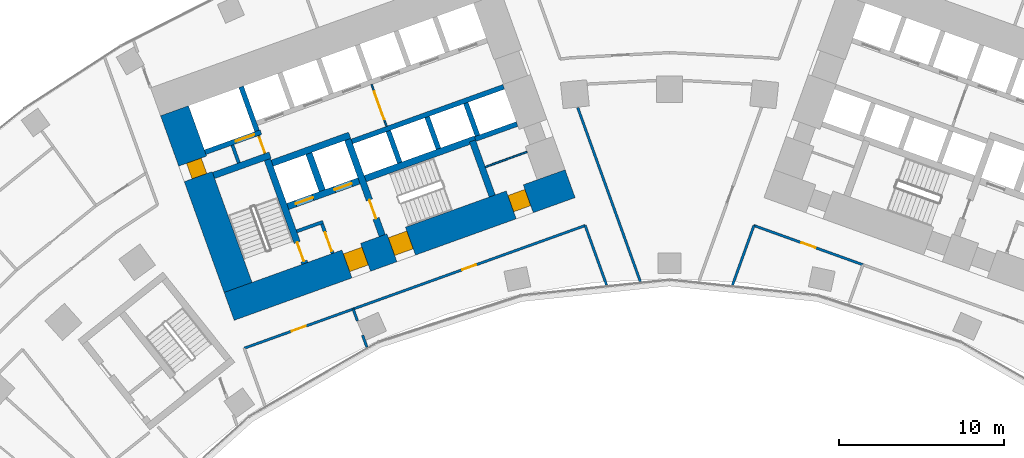
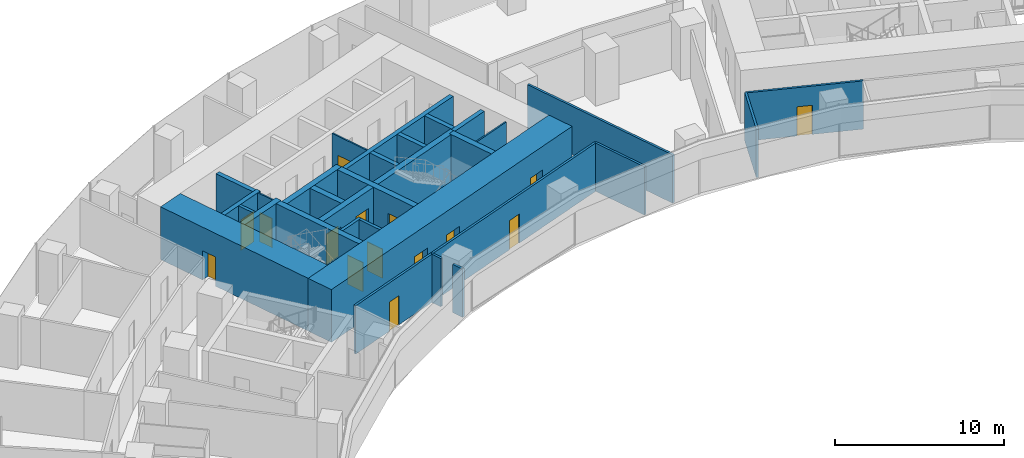
# One storey, part 15 of 21: 30 walls, 15 doors, 15 openings.
"""IFC4 building model written with IfcOpenShell, lengths in metres."""

from ifc_helpers import new_model, si_unit, direction, frame, frame_2d, origin, place, context, subcontext, project, spatial, rectangle, extrude, material, layer, layer_set, type_object, element, fill, save


model = new_model("IFC4")

# Units and contexts
model_context = context("Model", 3, precision=1e-05, world=origin(), true_north=direction((0.0, 1.0)))
body_context = subcontext(model_context, "Body", "Model", "MODEL_VIEW")
ifc_project = project(units=[si_unit("LENGTHUNIT", "METRE"), si_unit("AREAUNIT", "SQUARE_METRE"), si_unit("VOLUMEUNIT", "CUBIC_METRE"), si_unit("PLANEANGLEUNIT", "RADIAN"), si_unit("MASSUNIT", "GRAM", prefix="KILO")], contexts=[model_context])

# Site, building, storey
site_placement = place(None, origin())
site = spatial("IfcSite", under=ifc_project, at=site_placement, CompositionType="ELEMENT")
building_placement = place(site_placement, origin())
building = spatial("IfcBuilding", under=site, at=building_placement, Name="Stone Belt Terrace Tower", CompositionType="ELEMENT")
storey_placement = place(building_placement, frame((0.0, 0.0, 68.0)))
storey = spatial("IfcBuildingStorey", under=building, at=storey_placement, Name="L16", CompositionType="ELEMENT", Elevation=68.0)

# Wall, opening, door
ifc_material_1 = material(Name="Plasterboard partition")
ifc_layer_1 = layer(ifc_material_1, 0.10009765625)
ifc_layer_set_1 = layer_set([ifc_layer_1], Name="Core partition 100")
wall_type_1 = type_object("IfcWallType", Name="Core partition 100", PredefinedType="PARTITIONING", material=ifc_layer_set_1)
wall_1_placement = place(storey_placement, frame((-24.555908203125, 51.10400390625, 0.0), z_axis=(0.0, 0.0, 1.0), x_axis=(-0.338621735342, 0.94092258999, 0.0)))
wall_1 = element("IfcWall", 1, at=wall_1_placement, inside=storey, type_object=wall_type_1, Name="Core A wall", PredefinedType="PARTITIONING", context=body_context, shape_type="SweptSolid", body=[
    extrude(rectangle(XDim=1.14990234375, YDim=0.10009765625, at=frame_2d((0.574951171875, 0.0))), origin(), (0.0, 0.0, 1.0), 3.47998046875),
])
opening_1_placement = place(wall_1_placement, frame((0.050048828125, 0.0, 0.0)))
opening_1 = element("IfcOpeningElement", 2, at=opening_1_placement, cuts=wall_1, Name="Opening L16-C02", PredefinedType="OPENING", context=body_context, shape_type="SweptSolid", body=[
    extrude(rectangle(XDim=1.0, YDim=2.10009765625, at=frame_2d((0.5, 1.050048828125))), frame((0.0, 0.06005859375, 0.0), z_axis=(0.0, -1.0, 0.0), x_axis=(1.0, 0.0, 0.0)), (0.0, 0.0, 1.0), 0.1201171875),
])
ifc_material_2 = material(Name="Timber door leaf", Category="wood")
door_type_1 = type_object("IfcDoorType", Name="Core room door 1000", OperationType="SINGLE_SWING_LEFT", PredefinedType="DOOR", material=ifc_material_2)
door_1_placement = place(opening_1_placement, origin())
door_1 = element("IfcDoor", 3, at=door_1_placement, inside=storey, type_object=door_type_1, Name="Service lift lobby door core A", OperationType="SINGLE_SWING_RIGHT", OverallHeight=2.10009765625, OverallWidth=1.0, PredefinedType="DOOR", context=body_context, shape_type="SweptSolid", body=[
    extrude(rectangle(XDim=1.0, YDim=2.10009765625, at=frame_2d((0.5, 1.050048828125))), frame((0.0, 0.02490234375, 0.0), z_axis=(0.0, -1.0, 0.0), x_axis=(1.0, 0.0, 0.0)), (0.0, 0.0, 1.0), 0.050048828125),
])
fill(opening_1, door_1)

wall_2_placement = place(storey_placement, frame((-17.17724609375, 52.749755859375, 0.0), z_axis=(0.0, 0.0, 1.0), x_axis=(-0.338546555931, 0.940949642365, 0.0)))
wall_2 = element("IfcWall", 4, at=wall_2_placement, inside=storey, type_object=wall_type_1, Name="Core A wall", PredefinedType="PARTITIONING", context=body_context, shape_type="SweptSolid", body=[
    extrude(rectangle(XDim=2.699951171875, YDim=0.10009765625, at=frame_2d((1.35009765625, 0.0))), origin(), (0.0, 0.0, 1.0), 3.47998046875),
])
opening_2_placement = place(wall_2_placement, frame((0.449951171875, 0.0, 0.0)))
opening_2 = element("IfcOpeningElement", 5, at=opening_2_placement, cuts=wall_2, Name="Opening L16-C03", PredefinedType="OPENING", context=body_context, shape_type="SweptSolid", body=[
    extrude(rectangle(XDim=1.800048828125, YDim=2.10009765625, at=frame_2d((0.89990234375, 1.050048828125))), frame((0.0, 0.06005859375, 0.0), z_axis=(0.0, -1.0, 0.0), x_axis=(1.0, 0.0, 0.0)), (0.0, 0.0, 1.0), 0.1201171875),
])
ifc_material_3 = material(Name="Glazed aluminium door leaf", Category="aluminium")
door_type_2 = type_object("IfcDoorType", Name="Lift lobby entrance door 1800", OperationType="DOUBLE_DOOR_SINGLE_SWING", PredefinedType="DOOR", material=ifc_material_3)
door_2_placement = place(opening_2_placement, origin())
door_2 = element("IfcDoor", 6, at=door_2_placement, inside=storey, type_object=door_type_2, Name="Lift lobby double door core A", OperationType="DOUBLE_DOOR_SINGLE_SWING", OverallHeight=2.10009765625, OverallWidth=1.800048828125, PredefinedType="DOOR", context=body_context, shape_type="SweptSolid", body=[
    extrude(rectangle(XDim=1.800048828125, YDim=2.10009765625, at=frame_2d((0.89990234375, 1.050048828125))), frame((0.0, 0.02490234375, 0.0), z_axis=(0.0, -1.0, 0.0), x_axis=(1.0, 0.0, 0.0)), (0.0, 0.0, 1.0), 0.050048828125),
])
fill(opening_2, door_2)

# Wall
wall_3_placement = place(storey_placement, frame((-11.187744140625, 50.2822265625, 0.0), z_axis=(0.0, 0.0, 1.0), x_axis=(0.940949642365, 0.338546555931, 0.0)))
element("IfcWall", 7, at=wall_3_placement, inside=storey, type_object=wall_type_1, Name="Core A wall", PredefinedType="PARTITIONING", context=body_context, shape_type="SweptSolid", body=[
    extrude(rectangle(XDim=2.699951171875, YDim=0.10009765625, at=frame_2d((1.35009765625, 0.0))), origin(), (0.0, 0.0, 1.0), 3.47998046875),
])

# Wall, openings, doors
ifc_material_4 = material(Name="Concrete B80", Category="concrete")
ifc_layer_2 = layer(ifc_material_4, 1.800048828125)
ifc_layer_set_2 = layer_set([ifc_layer_2], Name="Core wall 1800 B80")
wall_type_2 = type_object("IfcWallType", Name="Core wall 1800 B80", PredefinedType="SHEAR", material=ifc_layer_set_2)
wall_4_placement = place(storey_placement, frame((-26.739501953125, 41.815673828125, 0.0), z_axis=(0.0, 0.0, 1.0), x_axis=(0.940921642213, 0.338624368902, 0.0)))
wall_4 = element("IfcWall", 8, at=wall_4_placement, inside=storey, type_object=wall_type_2, Name="Core A wall concave L16", PredefinedType="SHEAR", context=body_context, shape_type="SweptSolid", body=[
    extrude(rectangle(XDim=22.0, YDim=1.800048828125, at=frame_2d((11.0, 0.0))), origin(), (0.0, 0.0, 1.0), 3.800048828125),
])
opening_3_placement = place(wall_4_placement, frame((7.60009765625, 0.0, 0.0)))
opening_3 = element("IfcOpeningElement", 9, at=opening_3_placement, cuts=wall_4, Name="Opening L16-C07", PredefinedType="OPENING", context=body_context, shape_type="SweptSolid", body=[
    extrude(rectangle(XDim=1.199951171875, YDim=2.10009765625, at=frame_2d((0.60009765625, 1.050048828125))), frame((0.0, 0.909912109375, 0.0), z_axis=(0.0, -1.0, 0.0), x_axis=(1.0, 0.0, 0.0)), (0.0, 0.0, 1.0), 1.820068359375),
])
opening_4_placement = place(wall_4_placement, frame((10.5, 0.0, 0.0)))
opening_4 = element("IfcOpeningElement", 10, at=opening_4_placement, cuts=wall_4, Name="Opening L16-C09", PredefinedType="OPENING", context=body_context, shape_type="SweptSolid", body=[
    extrude(rectangle(XDim=1.199951171875, YDim=2.10009765625, at=frame_2d((0.60009765625, 1.050048828125))), frame((0.0, 0.909912109375, 0.0), z_axis=(0.0, -1.0, 0.0), x_axis=(1.0, 0.0, 0.0)), (0.0, 0.0, 1.0), 1.820068359375),
])
opening_5_placement = place(wall_4_placement, frame((18.199951171875, 0.0, 0.0)))
opening_5 = element("IfcOpeningElement", 11, at=opening_5_placement, cuts=wall_4, Name="Opening L16-C11", PredefinedType="OPENING", context=body_context, shape_type="SweptSolid", body=[
    extrude(rectangle(XDim=1.10009765625, YDim=2.10009765625, at=frame_2d((0.550048828125, 1.050048828125))), frame((0.0, 0.909912109375, 0.0), z_axis=(0.0, -1.0, 0.0), x_axis=(1.0, 0.0, 0.0)), (0.0, 0.0, 1.0), 1.820068359375),
])
door_type_3 = type_object("IfcDoorType", Name="Core room door 1100", OperationType="SINGLE_SWING_LEFT", PredefinedType="DOOR", material=ifc_material_2)
door_3_placement = place(opening_5_placement, origin())
door_3 = element("IfcDoor", 12, at=door_3_placement, inside=storey, type_object=door_type_3, Name="Door to Cleaner's store core A", OperationType="SINGLE_SWING_RIGHT", OverallHeight=2.10009765625, OverallWidth=1.10009765625, PredefinedType="DOOR", context=body_context, shape_type="SweptSolid", body=[
    extrude(rectangle(XDim=1.10009765625, YDim=2.10009765625, at=frame_2d((0.550048828125, 1.050048828125))), frame((0.0, 0.60498046875, 0.0), z_axis=(0.0, -1.0, 0.0), x_axis=(1.0, 0.0, 0.0)), (0.0, 0.0, 1.0), 1.050048828125),
])
fill(opening_5, door_3)
ifc_material_5 = material(Name="Steel door leaf", Category="steel")
door_type_4 = type_object("IfcDoorType", Name="Fire-fighting lobby door 1200", OperationType="SINGLE_SWING_LEFT", PredefinedType="DOOR", material=ifc_material_5)
door_4_placement = place(opening_3_placement, origin())
door_4 = element("IfcDoor", 13, at=door_4_placement, inside=storey, type_object=door_type_4, Name="Fire-fighting lobby door core A", OperationType="SINGLE_SWING_RIGHT", OverallHeight=2.10009765625, OverallWidth=1.199951171875, PredefinedType="DOOR", context=body_context, shape_type="SweptSolid", body=[
    extrude(rectangle(XDim=1.199951171875, YDim=2.10009765625, at=frame_2d((0.60009765625, 1.050048828125))), frame((0.0, 0.655029296875, 0.0), z_axis=(0.0, -1.0, 0.0), x_axis=(1.0, 0.0, 0.0)), (0.0, 0.0, 1.0), 1.14990234375),
])
fill(opening_3, door_4)
door_type_5 = type_object("IfcDoorType", Name="Stair door 1200", OperationType="SINGLE_SWING_LEFT", PredefinedType="DOOR", material=ifc_material_5)
door_5_placement = place(opening_4_placement, origin())
door_5 = element("IfcDoor", 14, at=door_5_placement, inside=storey, type_object=door_type_5, Name="Stair 2 exit door core A", OperationType="SINGLE_SWING_LEFT", OverallHeight=2.10009765625, OverallWidth=1.199951171875, PredefinedType="DOOR", context=body_context, shape_type="SweptSolid", body=[
    extrude(rectangle(XDim=1.199951171875, YDim=2.10009765625, at=frame_2d((0.60009765625, 1.050048828125))), frame((0.0, 0.655029296875, 0.0), z_axis=(0.0, -1.0, 0.0), x_axis=(1.0, 0.0, 0.0)), (0.0, 0.0, 1.0), 1.14990234375),
])
fill(opening_4, door_5)

# Wall, opening, door
wall_5_placement = place(storey_placement, frame((-26.197509765625, 42.96728515625, 0.0), z_axis=(0.0, 0.0, 1.0), x_axis=(-0.338625431531, 0.940921259788, 0.0)))
wall_5 = element("IfcWall", 15, at=wall_5_placement, inside=storey, type_object=wall_type_2, Name="Core A wall end_a L16", PredefinedType="SHEAR", context=body_context, shape_type="SweptSolid", body=[
    extrude(rectangle(XDim=11.400146484375, YDim=1.800048828125, at=frame_2d((5.7001953125, 0.0))), origin(), (0.0, 0.0, 1.0), 3.800048828125),
])
opening_6_placement = place(wall_5_placement, frame((7.150146484375, 0.0, 0.0)))
opening_6 = element("IfcOpeningElement", 16, at=opening_6_placement, cuts=wall_5, Name="Opening L16-C01", PredefinedType="OPENING", context=body_context, shape_type="SweptSolid", body=[
    extrude(rectangle(XDim=1.0, YDim=2.10009765625, at=frame_2d((0.5, 1.050048828125))), frame((0.0, 0.909912109375, 0.0), z_axis=(0.0, -1.0, 0.0), x_axis=(1.0, 0.0, 0.0)), (0.0, 0.0, 1.0), 1.820068359375),
])
door_6_placement = place(opening_6_placement, origin())
door_6 = element("IfcDoor", 17, at=door_6_placement, inside=storey, type_object=door_type_1, Name="Door to Telecommunications riser room core A", OperationType="SINGLE_SWING_LEFT", OverallHeight=2.10009765625, OverallWidth=1.0, PredefinedType="DOOR", context=body_context, shape_type="SweptSolid", body=[
    extrude(rectangle(XDim=1.0, YDim=2.10009765625, at=frame_2d((0.5, 1.050048828125))), frame((0.0, 0.39501953125, 0.0), z_axis=(0.0, -1.0, 0.0), x_axis=(1.0, 0.0, 0.0)), (0.0, 0.0, 1.0), 0.949951171875),
])
fill(opening_6, door_6)

# Walls
ifc_layer_3 = layer(ifc_material_4, 0.39990234375)
ifc_layer_set_3 = layer_set([ifc_layer_3], Name="Fire-fighting lift shaft wall 400")
wall_type_3 = type_object("IfcWallType", Name="Fire-fighting lift shaft wall 400", PredefinedType="SHEAR", material=ifc_layer_set_3)
wall_6_placement = place(storey_placement, frame((-24.130615234375, 50.512939453125, 0.0), z_axis=(0.0, 0.0, 1.0), x_axis=(0.94091168377, 0.338652038744, 0.0)))
element("IfcWall", 18, at=wall_6_placement, inside=storey, type_object=wall_type_3, Name="Core A wall", PredefinedType="SHEAR", context=body_context, shape_type="SweptSolid", body=[
    extrude(rectangle(XDim=5.000244140625, YDim=0.39990234375, at=frame_2d((2.5, 0.0))), origin(), (0.0, 0.0, 1.0), 3.47998046875),
])
wall_7_placement = place(storey_placement, frame((-21.0859375, 48.845458984375, 0.0), z_axis=(0.0, 0.0, 1.0), x_axis=(-0.338629416206, 0.940919825745, 0.0)))
element("IfcWall", 19, at=wall_7_placement, inside=storey, type_object=wall_type_3, Name="Core A wall", PredefinedType="SHEAR", context=body_context, shape_type="SweptSolid", body=[
    extrude(rectangle(XDim=2.400146484375, YDim=0.39990234375, at=frame_2d((1.2001953125, 0.0))), origin(), (0.0, 0.0, 1.0), 3.47998046875),
])

# Wall, opening, door
ifc_layer_4 = layer(ifc_material_4, 0.300048828125)
ifc_layer_set_4 = layer_set([ifc_layer_4], Name="Lift shaft wall 300")
wall_type_4 = type_object("IfcWallType", Name="Lift shaft wall 300", PredefinedType="SHEAR", material=ifc_layer_set_4)
wall_8_placement = place(storey_placement, frame((-28.195068359375, 51.17578125, 0.0), z_axis=(0.0, 0.0, 1.0), x_axis=(0.940901243567, 0.338681044427, 0.0)))
wall_8 = element("IfcWall", 20, at=wall_8_placement, inside=storey, type_object=wall_type_4, Name="Core A wall", PredefinedType="SHEAR", context=body_context, shape_type="SweptSolid", body=[
    extrude(rectangle(XDim=3.599853515625, YDim=0.300048828125, at=frame_2d((1.7998046875, 0.0))), origin(), (0.0, 0.0, 1.0), 3.47998046875),
])
opening_7_placement = place(wall_8_placement, frame((1.969970703125, 0.0, 0.0)))
opening_7 = element("IfcOpeningElement", 21, at=opening_7_placement, cuts=wall_8, Name="Opening L16-LD09", PredefinedType="OPENING", context=body_context, shape_type="SweptSolid", body=[
    extrude(rectangle(XDim=1.199951171875, YDim=2.199951171875, at=frame_2d((0.60009765625, 1.10009765625))), frame((0.0, 0.159912109375, 0.0), z_axis=(0.0, -1.0, 0.0), x_axis=(1.0, 0.0, 0.0)), (0.0, 0.0, 1.0), 0.320068359375),
])
ifc_material_6 = material(Name="Stainless steel door leaf", Category="steel")
door_type_6 = type_object("IfcDoorType", Name="Landing door 1200", OperationType="SLIDING_TO_LEFT", PredefinedType="DOOR", material=ifc_material_6)
door_7_placement = place(opening_7_placement, origin())
door_7 = element("IfcDoor", 22, at=door_7_placement, inside=storey, type_object=door_type_6, Name="Landing door SV1 core A", OperationType="SLIDING_TO_LEFT", OverallHeight=2.199951171875, OverallWidth=1.199951171875, PredefinedType="DOOR", context=body_context, shape_type="SweptSolid", body=[
    extrude(rectangle(XDim=1.199951171875, YDim=2.199951171875, at=frame_2d((0.60009765625, 1.10009765625))), frame((0.0, 0.02490234375, 0.0), z_axis=(0.0, -1.0, 0.0), x_axis=(1.0, 0.0, 0.0)), (0.0, 0.0, 1.0), 0.050048828125),
])
fill(opening_7, door_7)

# Walls
wall_9_placement = place(storey_placement, frame((-25.046875, 52.46826171875, 0.0), z_axis=(0.0, 0.0, 1.0), x_axis=(-0.338549588058, 0.940948551423, 0.0)))
element("IfcWall", 23, at=wall_9_placement, inside=storey, type_object=wall_type_4, Name="Core A wall", PredefinedType="SHEAR", context=body_context, shape_type="SweptSolid", body=[
    extrude(rectangle(XDim=2.849853515625, YDim=0.300048828125, at=frame_2d((1.4248046875, 0.0))), origin(), (0.0, 0.0, 1.0), 3.47998046875),
])
wall_10_placement = place(storey_placement, frame((-19.29052734375, 51.829833984375, 0.0), z_axis=(0.0, 0.0, 1.0), x_axis=(0.940925833398, 0.338612722803, 0.0)))
element("IfcWall", 24, at=wall_10_placement, inside=storey, type_object=wall_type_4, Name="Core A wall", PredefinedType="SHEAR", context=body_context, shape_type="SweptSolid", body=[
    extrude(rectangle(XDim=9.7998046875, YDim=0.300048828125, at=frame_2d((4.89990234375, 0.0))), origin(), (0.0, 0.0, 1.0), 3.47998046875),
])
for number, where, z_axis, x_axis, name in (
    (25, (-16.38134765625, 50.53857421875, 0.0), (0.0, 0.0, 1.0), (-0.338681515556, 0.940901073982, 0.0), "Core A wall"),
    (26, (-14.029052734375, 51.38525390625, 0.0), (0.0, 0.0, 1.0), (-0.338681515556, 0.940901073982, 0.0), "Core A wall"),
):
    element("IfcWall", number, at=place(storey_placement, frame(where, z_axis=z_axis, x_axis=x_axis)), inside=storey, type_object=wall_type_4, Name=name, PredefinedType="SHEAR", context=body_context, shape_type="SweptSolid", body=[
        extrude(rectangle(XDim=2.050048828125, YDim=0.300048828125, at=frame_2d((1.02490234375, 0.0))), origin(), (0.0, 0.0, 1.0), 3.47998046875),
    ])
wall_11_placement = place(storey_placement, frame((-11.797119140625, 51.975830078125, 0.0), z_axis=(0.0, 0.0, 1.0), x_axis=(0.940910465161, 0.33865542451, 0.0)))
element("IfcWall", 27, at=wall_11_placement, inside=storey, type_object=wall_type_4, Name="Core A wall", PredefinedType="SHEAR", context=body_context, shape_type="SweptSolid", body=[
    extrude(rectangle(XDim=2.69970703125, YDim=0.300048828125, at=frame_2d((1.349853515625, 0.0))), origin(), (0.0, 0.0, 1.0), 3.47998046875),
])
wall_12_placement = place(storey_placement, frame((-11.659912109375, 52.184814453125, 0.0), z_axis=(0.0, 0.0, 1.0), x_axis=(-0.338670064856, 0.940905195634, 0.0)))
element("IfcWall", 28, at=wall_12_placement, inside=storey, type_object=wall_type_4, Name="Core A wall", PredefinedType="SHEAR", context=body_context, shape_type="SweptSolid", body=[
    extrude(rectangle(XDim=2.099853515625, YDim=0.300048828125, at=frame_2d((1.0498046875, 0.0))), origin(), (0.0, 0.0, 1.0), 3.47998046875),
])
ifc_material_7 = material(Name="Gypsum board partition")
ifc_layer_5 = layer(ifc_material_7, 0.14990234375)
ifc_layer_set_5 = layer_set([ifc_layer_5], Name="PARTITION 150 EI 60")
wall_type_5 = type_object("IfcWallType", Name="PARTITION 150 EI 60", PredefinedType="PARTITIONING", material=ifc_layer_set_5)
wall_13_placement = place(storey_placement, frame((-3.819580078125, 43.0986328125, 0.0), z_axis=(0.0, 0.0, 1.0), x_axis=(-0.338659002829, 0.940909177234, 0.0)))
element("IfcWall", 29, at=wall_13_placement, inside=storey, type_object=wall_type_5, Name="L16/wall/i008", PredefinedType="PARTITIONING", context=body_context, shape_type="SweptSolid", body=[
    extrude(rectangle(XDim=3.8603515625, YDim=0.14990234375, at=frame_2d((1.93017578125, 0.0))), origin(), (0.0, 0.0, 1.0), 3.47998046875),
])
wall_14_placement = place(storey_placement, frame((-5.574951171875, 53.88232421875, 0.0), z_axis=(0.0, 0.0, 1.0), x_axis=(0.338622486498, -0.940922319662, 0.0)))
element("IfcWall", 30, at=wall_14_placement, inside=storey, type_object=wall_type_5, Name="L16/wall/i010", PredefinedType="PARTITIONING", context=body_context, shape_type="SweptSolid", body=[
    extrude(rectangle(XDim=11.232177734375, YDim=0.14990234375, at=frame_2d((5.6162109375, 0.0))), origin(), (0.0, 0.0, 1.0), 3.47998046875),
])

# Wall, opening, door
wall_15_placement = place(storey_placement, frame((-19.2041015625, 41.657958984375, 0.0), z_axis=(0.0, 0.0, 1.0), x_axis=(-0.940907755702, -0.338662952299, 0.0)))
wall_15 = element("IfcWall", 31, at=wall_15_placement, inside=storey, type_object=wall_type_5, Name="L16/wall/i012", PredefinedType="PARTITIONING", context=body_context, shape_type="SweptSolid", body=[
    extrude(rectangle(XDim=7.03662109375, YDim=0.14990234375, at=frame_2d((3.518310546875, 0.0))), origin(), (0.0, 0.0, 1.0), 3.47998046875),
])
opening_8_placement = place(wall_15_placement, frame((3.068359375, 0.0, 0.0)))
opening_8 = element("IfcOpeningElement", 32, at=opening_8_placement, cuts=wall_15, Name="Opening D-A5-01", PredefinedType="OPENING", context=body_context, shape_type="SweptSolid", body=[
    extrude(rectangle(XDim=0.89990234375, YDim=2.10009765625, at=frame_2d((0.449951171875, 1.050048828125))), frame((0.0, 0.0849609375, 0.0), z_axis=(0.0, -1.0, 0.0), x_axis=(1.0, 0.0, 0.0)), (0.0, 0.0, 1.0), 0.169921875),
])
door_type_7 = type_object("IfcDoorType", Name="OFFICE DOOR 900 X 2100", OperationType="NOTDEFINED", PredefinedType="DOOR", material=ifc_material_2)
door_8_placement = place(opening_8_placement, origin())
door_8 = element("IfcDoor", 33, at=door_8_placement, inside=storey, type_object=door_type_7, Name="L16/door/i01", OperationType="SINGLE_SWING_RIGHT", OverallHeight=2.10009765625, OverallWidth=0.89990234375, PredefinedType="DOOR", context=body_context, shape_type="SweptSolid", body=[
    extrude(rectangle(XDim=0.89990234375, YDim=2.10009765625, at=frame_2d((0.449951171875, 1.050048828125))), frame((0.0, 0.02490234375, 0.0), z_axis=(0.0, -1.0, 0.0), x_axis=(1.0, 0.0, 0.0)), (0.0, 0.0, 1.0), 0.050048828125),
])
fill(opening_8, door_8)

wall_16_placement = place(storey_placement, frame((-5.125, 46.72509765625, 0.0), z_axis=(0.0, 0.0, 1.0), x_axis=(-0.940924398341, -0.338616710466, 0.0)))
wall_16 = element("IfcWall", 34, at=wall_16_placement, inside=storey, type_object=wall_type_5, Name="L16/wall/i013", PredefinedType="PARTITIONING", context=body_context, shape_type="SweptSolid", body=[
    extrude(rectangle(XDim=14.975830078125, YDim=0.14990234375, at=frame_2d((7.48779296875, 0.0))), origin(), (0.0, 0.0, 1.0), 3.47998046875),
])
opening_9_placement = place(wall_16_placement, frame((7.037841796875, 0.0, 0.0)))
opening_9 = element("IfcOpeningElement", 35, at=opening_9_placement, cuts=wall_16, Name="Opening D-A5-02", PredefinedType="OPENING", context=body_context, shape_type="SweptSolid", body=[
    extrude(rectangle(XDim=0.89990234375, YDim=2.10009765625, at=frame_2d((0.449951171875, 1.050048828125))), frame((0.0, 0.0849609375, 0.0), z_axis=(0.0, -1.0, 0.0), x_axis=(1.0, 0.0, 0.0)), (0.0, 0.0, 1.0), 0.169921875),
])
door_9_placement = place(opening_9_placement, origin())
door_9 = element("IfcDoor", 36, at=door_9_placement, inside=storey, type_object=door_type_7, Name="L16/door/i02", OperationType="SINGLE_SWING_RIGHT", OverallHeight=2.10009765625, OverallWidth=0.89990234375, PredefinedType="DOOR", context=body_context, shape_type="SweptSolid", body=[
    extrude(rectangle(XDim=0.89990234375, YDim=2.10009765625, at=frame_2d((0.449951171875, 1.050048828125))), frame((0.0, 0.02490234375, 0.0), z_axis=(0.0, -1.0, 0.0), x_axis=(1.0, 0.0, 0.0)), (0.0, 0.0, 1.0), 0.050048828125),
])
fill(opening_9, door_9)

# Walls
wall_17_placement = place(storey_placement, frame((-19.2099609375, 41.656005859375, 0.0), z_axis=(0.0, 0.0, 1.0), x_axis=(0.338584750812, -0.940935899261, 0.0)))
element("IfcWall", 37, at=wall_17_placement, inside=storey, type_object=wall_type_5, Name="L16/wall/i014", PredefinedType="PARTITIONING", context=body_context, shape_type="SweptSolid", body=[
    extrude(rectangle(XDim=0.77001953125, YDim=0.14990234375, at=frame_2d((0.385009765625, 0.0))), origin(), (0.0, 0.0, 1.0), 3.47998046875),
])
wall_18_placement = place(storey_placement, frame((-18.637939453125, 40.06640625, 0.0), z_axis=(0.0, 0.0, 1.0), x_axis=(0.338933376884, -0.940810377299, 0.0)))
element("IfcWall", 38, at=wall_18_placement, inside=storey, type_object=wall_type_5, Name="L16/wall/i015", PredefinedType="PARTITIONING", context=body_context, shape_type="SweptSolid", body=[
    extrude(rectangle(XDim=0.767822265625, YDim=0.14990234375, at=frame_2d((0.3837890625, 0.0))), origin(), (0.0, 0.0, 1.0), 3.47998046875),
])
wall_19_placement = place(storey_placement, frame((5.126953125, 46.73095703125, 0.0), z_axis=(0.0, 0.0, 1.0), x_axis=(-0.338659002829, -0.940909177234, 0.0)))
element("IfcWall", 39, at=wall_19_placement, inside=storey, type_object=wall_type_5, Name="L16/wall/i017", PredefinedType="PARTITIONING", context=body_context, shape_type="SweptSolid", body=[
    extrude(rectangle(XDim=3.8603515625, YDim=0.14990234375, at=frame_2d((1.93017578125, 0.0))), origin(), (0.0, 0.0, 1.0), 3.47998046875),
])

# Wall, opening, door
wall_20_placement = place(storey_placement, frame((11.74609375, 44.342041015625, 0.0), z_axis=(0.0, 0.0, 1.0), x_axis=(-0.940911734826, 0.338651896889, 0.0)))
wall_20 = element("IfcWall", 40, at=wall_20_placement, inside=storey, type_object=wall_type_5, Name="L16/wall/i027", PredefinedType="PARTITIONING", context=body_context, shape_type="SweptSolid", body=[
    extrude(rectangle(XDim=7.036865234375, YDim=0.14990234375, at=frame_2d((3.5185546875, 0.0))), origin(), (0.0, 0.0, 1.0), 3.47998046875),
])
opening_10_placement = place(wall_20_placement, frame((3.068359375, 0.0, 0.0)))
opening_10 = element("IfcOpeningElement", 41, at=opening_10_placement, cuts=wall_20, Name="Opening D-A5-05", PredefinedType="OPENING", context=body_context, shape_type="SweptSolid", body=[
    extrude(rectangle(XDim=0.89990234375, YDim=2.10009765625, at=frame_2d((0.449951171875, 1.050048828125))), frame((0.0, 0.0849609375, 0.0), z_axis=(0.0, -1.0, 0.0), x_axis=(1.0, 0.0, 0.0)), (0.0, 0.0, 1.0), 0.169921875),
])
door_10_placement = place(opening_10_placement, origin())
door_10 = element("IfcDoor", 42, at=door_10_placement, inside=storey, type_object=door_type_7, Name="L16/door/i05", OperationType="SINGLE_SWING_RIGHT", OverallHeight=2.10009765625, OverallWidth=0.89990234375, PredefinedType="DOOR", context=body_context, shape_type="SweptSolid", body=[
    extrude(rectangle(XDim=0.89990234375, YDim=2.10009765625, at=frame_2d((0.449951171875, 1.050048828125))), frame((0.0, 0.02490234375, 0.0), z_axis=(0.0, -1.0, 0.0), x_axis=(1.0, 0.0, 0.0)), (0.0, 0.0, 1.0), 0.050048828125),
])
fill(opening_10, door_10)

# Walls
ifc_material_8 = material(Name="Concrete masonry block", Category="masonry")
ifc_layer_6 = layer(ifc_material_8, 0.199951171875)
ifc_layer_set_6 = layer_set([ifc_layer_6], Name="Rated lobby wall 200")
wall_type_6 = type_object("IfcWallType", Name="Rated lobby wall 200", PredefinedType="PARTITIONING", material=ifc_layer_set_6)
wall_21_placement = place(storey_placement, frame((-26.1552734375, 50.5283203125, 0.0), z_axis=(0.0, 0.0, 1.0), x_axis=(-0.338621735342, 0.94092258999, 0.0)))
element("IfcWall", 43, at=wall_21_placement, inside=storey, type_object=wall_type_6, Name="Core A wall", PredefinedType="PARTITIONING", context=body_context, shape_type="SweptSolid", body=[
    extrude(rectangle(XDim=1.14990234375, YDim=0.199951171875, at=frame_2d((0.574951171875, 0.0))), origin(), (0.0, 0.0, 1.0), 3.47998046875),
])
wall_22_placement = place(storey_placement, frame((-22.640625, 46.373046875, 0.0), z_axis=(0.0, 0.0, 1.0), x_axis=(0.940966110313, 0.338500781747, 0.0)))
element("IfcWall", 44, at=wall_22_placement, inside=storey, type_object=wall_type_6, Name="Core A wall", PredefinedType="PARTITIONING", context=body_context, shape_type="SweptSolid", body=[
    extrude(rectangle(XDim=1.699951171875, YDim=0.199951171875, at=frame_2d((0.85009765625, 0.0))), origin(), (0.0, 0.0, 1.0), 3.47998046875),
])

# Wall, opening, door
wall_23_placement = place(storey_placement, frame((-20.4580078125, 45.032958984375, 0.0), z_axis=(0.0, 0.0, 1.0), x_axis=(-0.338573865316, 0.940939816208, 0.0)))
wall_23 = element("IfcWall", 45, at=wall_23_placement, inside=storey, type_object=wall_type_6, Name="Core A wall", PredefinedType="PARTITIONING", context=body_context, shape_type="SweptSolid", body=[
    extrude(rectangle(XDim=1.900146484375, YDim=0.199951171875, at=frame_2d((0.9501953125, 0.0))), origin(), (0.0, 0.0, 1.0), 3.47998046875),
])
opening_11_placement = place(wall_23_placement, frame((0.14990234375, 0.0, 0.0)))
opening_11 = element("IfcOpeningElement", 46, at=opening_11_placement, cuts=wall_23, Name="Opening L16-C06", PredefinedType="OPENING", context=body_context, shape_type="SweptSolid", body=[
    extrude(rectangle(XDim=1.199951171875, YDim=2.10009765625, at=frame_2d((0.60009765625, 1.050048828125))), frame((0.0, 0.10986328125, 0.0), z_axis=(0.0, -1.0, 0.0), x_axis=(1.0, 0.0, 0.0)), (0.0, 0.0, 1.0), 0.219970703125),
])
door_11_placement = place(opening_11_placement, origin())
door_11 = element("IfcDoor", 47, at=door_11_placement, inside=storey, type_object=door_type_5, Name="Stair airlock door core A", OperationType="SINGLE_SWING_RIGHT", OverallHeight=2.10009765625, OverallWidth=1.199951171875, PredefinedType="DOOR", context=body_context, shape_type="SweptSolid", body=[
    extrude(rectangle(XDim=1.199951171875, YDim=2.10009765625, at=frame_2d((0.60009765625, 1.050048828125))), frame((0.0, 0.02490234375, 0.0), z_axis=(0.0, -1.0, 0.0), x_axis=(1.0, 0.0, 0.0)), (0.0, 0.0, 1.0), 0.050048828125),
])
fill(opening_11, door_11)

# Wall
ifc_layer_7 = layer(ifc_material_4, 0.39990234375)
ifc_layer_set_7 = layer_set([ifc_layer_7], Name="Stair enclosure wall 400")
wall_type_7 = type_object("IfcWallType", Name="Stair enclosure wall 400", PredefinedType="SHEAR", material=ifc_layer_set_7)
wall_24_placement = place(storey_placement, frame((-27.687255859375, 49.764404296875, 0.0), z_axis=(0.0, 0.0, 1.0), x_axis=(0.940918954884, 0.338631835981, 0.0)))
element("IfcWall", 48, at=wall_24_placement, inside=storey, type_object=wall_type_7, Name="Core A wall", PredefinedType="SHEAR", context=body_context, shape_type="SweptSolid", body=[
    extrude(rectangle(XDim=3.650146484375, YDim=0.39990234375, at=frame_2d((1.8251953125, 0.0))), origin(), (0.0, 0.0, 1.0), 3.47998046875),
])

# Wall, opening, door
wall_25_placement = place(storey_placement, frame((-22.151611328125, 44.42333984375, 0.0), z_axis=(0.0, 0.0, 1.0), x_axis=(-0.338625272931, 0.940921316866, 0.0)))
wall_25 = element("IfcWall", 49, at=wall_25_placement, inside=storey, type_object=wall_type_7, Name="Core A wall", PredefinedType="SHEAR", context=body_context, shape_type="SweptSolid", body=[
    extrude(rectangle(XDim=6.699951171875, YDim=0.39990234375, at=frame_2d((3.35009765625, 0.0))), origin(), (0.0, 0.0, 1.0), 3.47998046875),
])
opening_12_placement = place(wall_25_placement, frame((0.14990234375, 0.0, 0.0)))
opening_12 = element("IfcOpeningElement", 50, at=opening_12_placement, cuts=wall_25, Name="Opening L16-C05", PredefinedType="OPENING", context=body_context, shape_type="SweptSolid", body=[
    extrude(rectangle(XDim=1.199951171875, YDim=2.10009765625, at=frame_2d((0.60009765625, 1.050048828125))), frame((0.0, 0.2099609375, 0.0), z_axis=(0.0, -1.0, 0.0), x_axis=(1.0, 0.0, 0.0)), (0.0, 0.0, 1.0), 0.419921875),
])
door_12_placement = place(opening_12_placement, origin())
door_12 = element("IfcDoor", 51, at=door_12_placement, inside=storey, type_object=door_type_5, Name="Stair 1 door core A", OperationType="SINGLE_SWING_RIGHT", OverallHeight=2.10009765625, OverallWidth=1.199951171875, PredefinedType="DOOR", context=body_context, shape_type="SweptSolid", body=[
    extrude(rectangle(XDim=1.199951171875, YDim=2.10009765625, at=frame_2d((0.60009765625, 1.050048828125))), frame((0.0, 0.02490234375, 0.0), z_axis=(0.0, -1.0, 0.0), x_axis=(1.0, 0.0, 0.0)), (0.0, 0.0, 1.0), 0.050048828125),
])
fill(opening_12, door_12)

# Wall, openings, doors
wall_26_placement = place(storey_placement, frame((-23.182373046875, 47.87841796875, 0.0), z_axis=(0.0, 0.0, 1.0), x_axis=(0.940921101762, 0.338625870628, 0.0)))
wall_26 = element("IfcWall", 52, at=wall_26_placement, inside=storey, type_object=wall_type_7, Name="Core A wall", PredefinedType="SHEAR", context=body_context, shape_type="SweptSolid", body=[
    extrude(rectangle(XDim=12.10009765625, YDim=0.39990234375, at=frame_2d((6.050048828125, 0.0))), origin(), (0.0, 0.0, 1.0), 3.47998046875),
])
opening_13_placement = place(wall_26_placement, frame((0.52001953125, 0.0, 0.0)))
opening_13 = element("IfcOpeningElement", 53, at=opening_13_placement, cuts=wall_26, Name="Opening L16-LD07", PredefinedType="OPENING", context=body_context, shape_type="SweptSolid", body=[
    extrude(rectangle(XDim=1.10009765625, YDim=2.199951171875, at=frame_2d((0.550048828125, 1.10009765625))), frame((0.0, 0.2099609375, 0.0), z_axis=(0.0, -1.0, 0.0), x_axis=(1.0, 0.0, 0.0)), (0.0, 0.0, 1.0), 0.419921875),
])
opening_14_placement = place(wall_26_placement, frame((3.02001953125, 0.0, 0.0)))
opening_14 = element("IfcOpeningElement", 54, at=opening_14_placement, cuts=wall_26, Name="Opening L16-LD08", PredefinedType="OPENING", context=body_context, shape_type="SweptSolid", body=[
    extrude(rectangle(XDim=1.10009765625, YDim=2.199951171875, at=frame_2d((0.550048828125, 1.10009765625))), frame((0.0, 0.2099609375, 0.0), z_axis=(0.0, -1.0, 0.0), x_axis=(1.0, 0.0, 0.0)), (0.0, 0.0, 1.0), 0.419921875),
])
door_type_8 = type_object("IfcDoorType", Name="Landing door 1100", OperationType="SLIDING_TO_LEFT", PredefinedType="DOOR", material=ifc_material_6)
door_13_placement = place(opening_13_placement, origin())
door_13 = element("IfcDoor", 55, at=door_13_placement, inside=storey, type_object=door_type_8, Name="Landing door FF1 core A", OperationType="SLIDING_TO_LEFT", OverallHeight=2.199951171875, OverallWidth=1.10009765625, PredefinedType="DOOR", context=body_context, shape_type="SweptSolid", body=[
    extrude(rectangle(XDim=1.10009765625, YDim=2.199951171875, at=frame_2d((0.550048828125, 1.10009765625))), frame((0.0, 0.02490234375, 0.0), z_axis=(0.0, -1.0, 0.0), x_axis=(1.0, 0.0, 0.0)), (0.0, 0.0, 1.0), 0.050048828125),
])
fill(opening_13, door_13)
door_14_placement = place(opening_14_placement, origin())
door_14 = element("IfcDoor", 56, at=door_14_placement, inside=storey, type_object=door_type_8, Name="Landing door FF2 core A", OperationType="SLIDING_TO_LEFT", OverallHeight=2.199951171875, OverallWidth=1.10009765625, PredefinedType="DOOR", context=body_context, shape_type="SweptSolid", body=[
    extrude(rectangle(XDim=1.10009765625, YDim=2.199951171875, at=frame_2d((0.550048828125, 1.10009765625))), frame((0.0, 0.02490234375, 0.0), z_axis=(0.0, -1.0, 0.0), x_axis=(1.0, 0.0, 0.0)), (0.0, 0.0, 1.0), 0.050048828125),
])
fill(opening_14, door_14)

# Wall, opening, door
wall_27_placement = place(storey_placement, frame((-17.447021484375, 46.116455078125, 0.0), z_axis=(0.0, 0.0, 1.0), x_axis=(-0.33860791464, 0.940927563707, 0.0)))
wall_27 = element("IfcWall", 57, at=wall_27_placement, inside=storey, type_object=wall_type_7, Name="Core A wall", PredefinedType="SHEAR", context=body_context, shape_type="SweptSolid", body=[
    extrude(rectangle(XDim=6.199951171875, YDim=0.39990234375, at=frame_2d((3.10009765625, 0.0))), origin(), (0.0, 0.0, 1.0), 3.47998046875),
])
opening_15_placement = place(wall_27_placement, frame((1.10009765625, 0.0, 0.0)))
opening_15 = element("IfcOpeningElement", 58, at=opening_15_placement, cuts=wall_27, Name="Opening L16-C08", PredefinedType="OPENING", context=body_context, shape_type="SweptSolid", body=[
    extrude(rectangle(XDim=1.199951171875, YDim=2.10009765625, at=frame_2d((0.60009765625, 1.050048828125))), frame((0.0, 0.2099609375, 0.0), z_axis=(0.0, -1.0, 0.0), x_axis=(1.0, 0.0, 0.0)), (0.0, 0.0, 1.0), 0.419921875),
])
door_15_placement = place(opening_15_placement, origin())
door_15 = element("IfcDoor", 59, at=door_15_placement, inside=storey, type_object=door_type_5, Name="Stair 2 door core A", OperationType="SINGLE_SWING_RIGHT", OverallHeight=2.10009765625, OverallWidth=1.199951171875, PredefinedType="DOOR", context=body_context, shape_type="SweptSolid", body=[
    extrude(rectangle(XDim=1.199951171875, YDim=2.10009765625, at=frame_2d((0.60009765625, 1.050048828125))), frame((0.0, 0.02490234375, 0.0), z_axis=(0.0, -1.0, 0.0), x_axis=(1.0, 0.0, 0.0)), (0.0, 0.0, 1.0), 0.050048828125),
])
fill(opening_15, door_15)

# Wall
wall_28_placement = place(storey_placement, frame((-10.766357421875, 48.520751953125, 0.0), z_axis=(0.0, 0.0, 1.0), x_axis=(-0.338626928157, 0.94092072117, 0.0)))
element("IfcWall", 60, at=wall_28_placement, inside=storey, type_object=wall_type_7, Name="Core A wall", PredefinedType="SHEAR", context=body_context, shape_type="SweptSolid", body=[
    extrude(rectangle(XDim=3.550048828125, YDim=0.39990234375, at=frame_2d((1.77490234375, 0.0))), origin(), (0.0, 0.0, 1.0), 3.47998046875),
])

save(model, "model.ifc")
